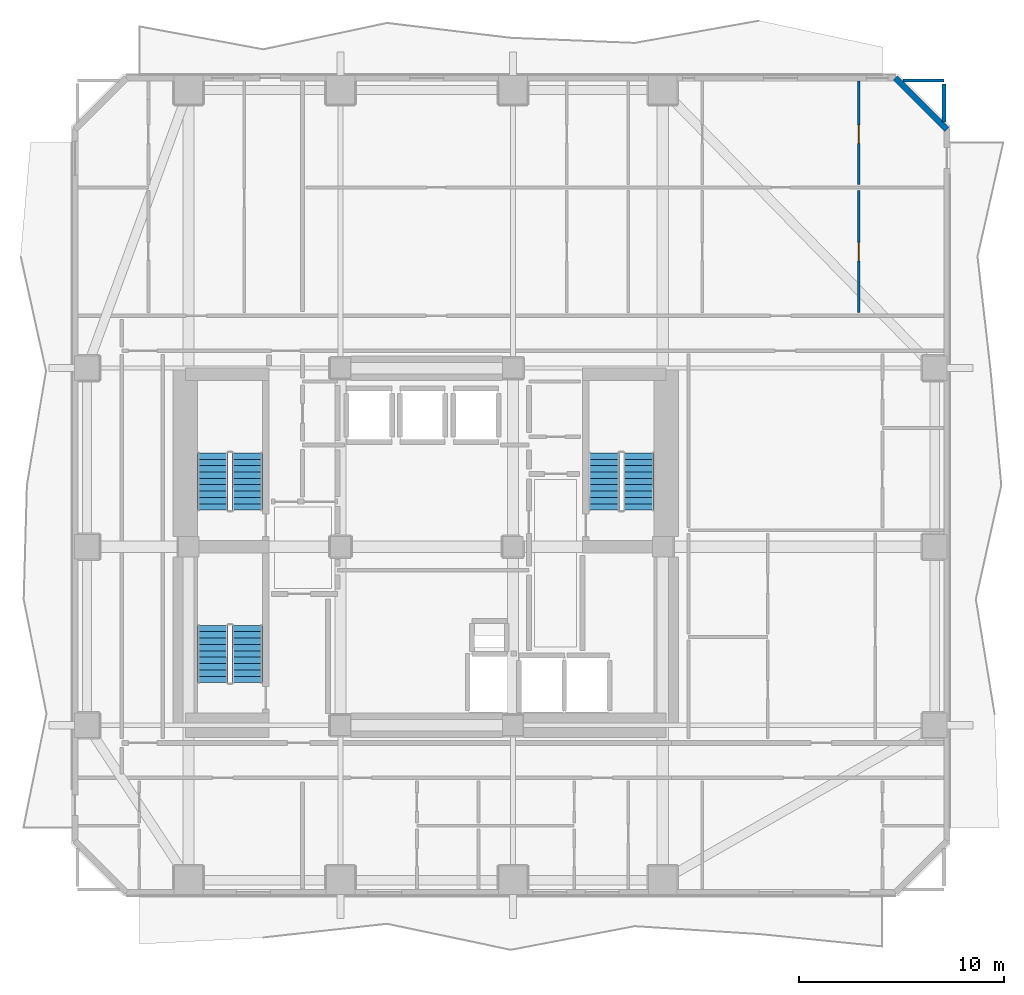
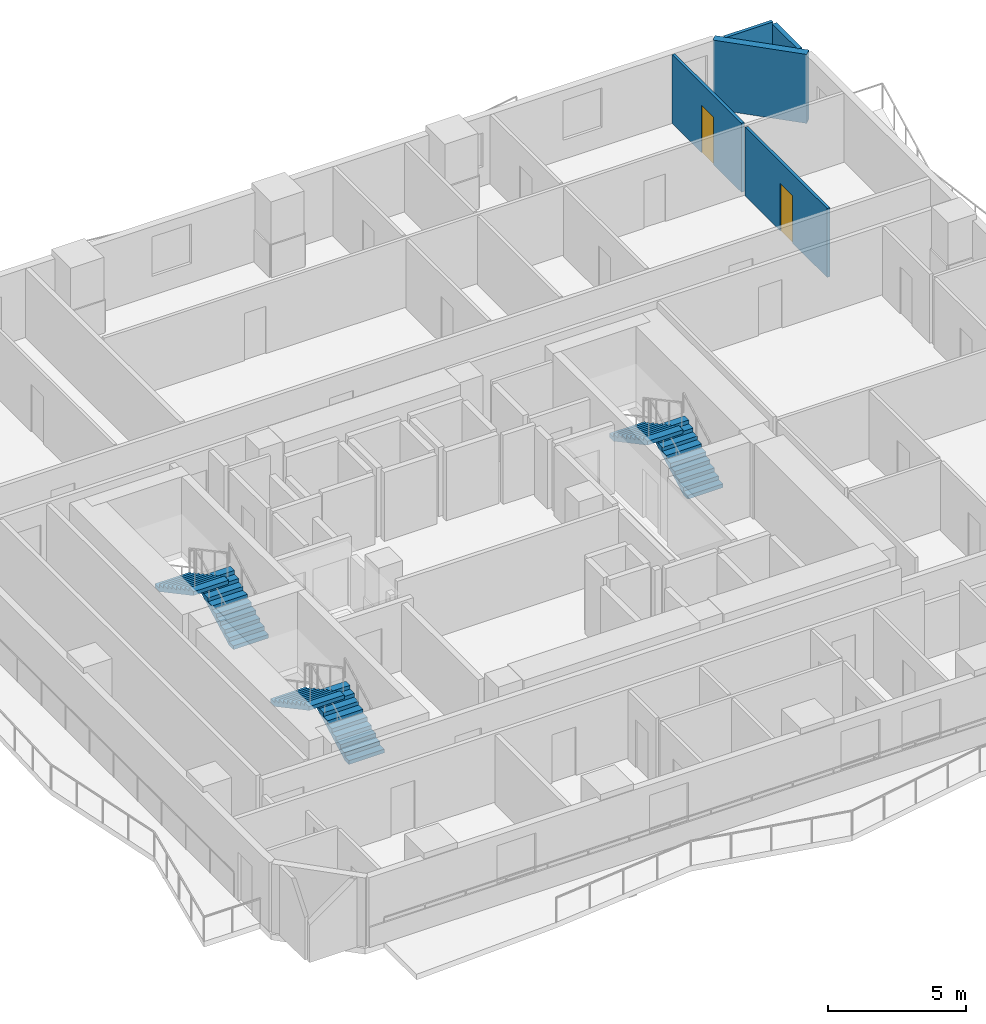
# One storey, part 7 of 11: 6 stair flights, 5 walls, 2 doors, 2 openings, 3 elements without a shape of their own.
"""IFC4 building model written with IfcOpenShell, lengths in metres."""

import ifcopenshell
import ifcopenshell.guid

model = None  # the IFC model being written
_history = None  # IfcOwnerHistory: only IFC2X3 demands one
_inside = {}  # id of a spatial element -> (the spatial element, [elements in it])
_under = {}  # id of a project, library or spatial element -> (it, [spatial elements below it])
_declared = {}  # id of a project -> (the project, [libraries it declares])
_typed = {}  # id of a type object -> (the type object, [elements of that type])
_made_of = {}  # id of a material, layer set ... -> (it, [elements and type objects made of it])


def new_model(schema):
    """Start an empty IFC model of exactly this schema.

    Asked for "IFC4X3", IfcOpenShell would pick the latest addendum, in which some entities
    have other attributes; the version numbers below select the first issue.
    IFC2X3 requires an IfcOwnerHistory on every rooted entity: one is made here for all.
    """
    global model, _history
    if schema == "IFC4X3":
        model = ifcopenshell.file(schema_version=(4, 3, 0, 0))
    else:
        model = ifcopenshell.file(schema=schema)
    _inside.clear()
    _under.clear()
    _declared.clear()
    _typed.clear()
    _made_of.clear()
    _history = None
    if model.schema == "IFC2X3":
        org = make("IfcOrganization", Name="unknown")
        user = make(
            "IfcPersonAndOrganization",
            ThePerson=make("IfcPerson", FamilyName="unknown"),
            TheOrganization=org,
        )
        app = make(
            "IfcApplication",
            ApplicationDeveloper=org,
            Version="unknown",
            ApplicationFullName="unknown",
            ApplicationIdentifier="unknown",
        )
        _history = make(
            "IfcOwnerHistory",
            OwningUser=user,
            OwningApplication=app,
            ChangeAction="ADDED",
            CreationDate=0,
        )
    return model


def make(cls, **values):
    """One entity of the class cls with the attributes given. An attribute that is None is left unset."""
    return model.create_entity(
        cls, **{name: value for name, value in values.items() if value is not None}
    )


def rooted(cls, **values):
    """An entity with a GlobalId (a new one), such as an element, a storey or a relation."""
    return make(cls, GlobalId=ifcopenshell.guid.new(), OwnerHistory=_history, **values)


def si_unit(unit_type, name, prefix=None):
    """IfcSIUnit, for example si_unit("LENGTHUNIT", "METRE", prefix="MILLI")."""
    return make("IfcSIUnit", UnitType=unit_type, Prefix=prefix, Name=name)


def assignment(units):
    """IfcUnitAssignment: the units of a project."""
    return None if units is None else make("IfcUnitAssignment", Units=units)


def point(xyz):
    """IfcCartesianPoint."""
    return None if xyz is None else make("IfcCartesianPoint", Coordinates=xyz)


def direction(xyz):
    """IfcDirection."""
    return None if xyz is None else make("IfcDirection", DirectionRatios=xyz)


def frame(location, z_axis=None, x_axis=None):
    """IfcAxis2Placement3D, a coordinate frame: its origin and axes. An axis left out is left unset."""
    return make(
        "IfcAxis2Placement3D",
        Location=point(location),
        Axis=direction(z_axis),
        RefDirection=direction(x_axis),
    )


def frame_2d(location, x_axis=None):
    """IfcAxis2Placement2D, a coordinate frame in the plane: its origin and x axis."""
    return make(
        "IfcAxis2Placement2D", Location=point(location), RefDirection=direction(x_axis)
    )


def origin():
    """The frame at (0, 0, 0) with its axes left unset."""
    return frame((0.0, 0.0, 0.0))


def place(relative_to, where):
    """IfcLocalPlacement: puts the frame where relative to a parent placement (None: the world)."""
    return make(
        "IfcLocalPlacement", PlacementRelTo=relative_to, RelativePlacement=where
    )


def context(
    kind, dimensions, precision=None, world=None, true_north=None, identifier=None
):
    """IfcGeometricRepresentationContext, for example the 3D "Model" context."""
    return make(
        "IfcGeometricRepresentationContext",
        ContextIdentifier=identifier,
        ContextType=kind,
        CoordinateSpaceDimension=dimensions,
        Precision=precision,
        WorldCoordinateSystem=world,
        TrueNorth=true_north,
    )


def subcontext(parent, identifier, kind, view, scale=None):
    """IfcGeometricRepresentationSubContext, for example "Body" below "Model"."""
    return make(
        "IfcGeometricRepresentationSubContext",
        ContextIdentifier=identifier,
        ContextType=kind,
        ParentContext=parent,
        TargetScale=scale,
        TargetView=view,
    )


def project(units=None, contexts=None):
    """IfcProject with its units and contexts."""
    return rooted(
        "IfcProject",
        Name="project",
        RepresentationContexts=contexts,
        UnitsInContext=assignment(units),
    )


def spatial(cls, under=None, at=None, **own):
    """A site, building, storey or space (cls), placed at a placement, below another one or the project."""
    s = rooted(cls, ObjectPlacement=at, **own)
    if under is not None:
        _under.setdefault(under.id(), (under, []))[1].append(s)
    return s


def polyline(points):
    """IfcPolyline through the points."""
    return make("IfcPolyline", Points=[point(p) for p in points])


def profile(cls, at=None, kind="AREA", **sizes):
    """A parametric profile (cls). Its sizes go by their IFC names, for example OverallWidth=200.0."""
    return make(cls, ProfileType=kind, Position=at, **sizes)


def rectangle(**sizes):
    """IfcRectangleProfileDef."""
    return profile("IfcRectangleProfileDef", **sizes)


def outline(outer, holes=None, kind="AREA"):
    """IfcArbitraryClosedProfileDef: a profile drawn as a closed curve; with holes, ...WithVoids."""
    if holes is None:
        return make("IfcArbitraryClosedProfileDef", ProfileType=kind, OuterCurve=outer)
    return make(
        "IfcArbitraryProfileDefWithVoids",
        ProfileType=kind,
        OuterCurve=outer,
        InnerCurves=holes,
    )


def extrude(swept, where, along, depth):
    """IfcExtrudedAreaSolid: the profile swept, set in the frame where, extruded along a direction by depth."""
    return make(
        "IfcExtrudedAreaSolid",
        SweptArea=swept,
        Position=where,
        ExtrudedDirection=direction(along),
        Depth=depth,
    )


def shape(context_of_items, identifier, shape_type, items):
    """IfcShapeRepresentation: the items that make up one representation, for example the "Body"."""
    return make(
        "IfcShapeRepresentation",
        ContextOfItems=context_of_items,
        RepresentationIdentifier=identifier,
        RepresentationType=shape_type,
        Items=items,
    )


def material(Name=None, Category=None):
    """IfcMaterial."""
    return make("IfcMaterial", Name=Name, Category=Category)


def layer(
    of_material, thickness, ventilated=None, Name=None, Category=None, Priority=None
):
    """IfcMaterialLayer: one layer of a wall or slab, of a material (None: an air gap)."""
    return make(
        "IfcMaterialLayer",
        Material=of_material,
        LayerThickness=thickness,
        IsVentilated=ventilated,
        Name=Name,
        Category=Category,
        Priority=Priority,
    )


def layer_set(layers, Name=None):
    """IfcMaterialLayerSet."""
    return make("IfcMaterialLayerSet", MaterialLayers=layers, LayerSetName=Name)


def made_of(thing, what):
    """Note that an element or type object is made of a material, layer set ...; save() writes the relation."""
    if what is not None:
        _made_of.setdefault(what.id(), (what, []))[1].append(thing)
    return thing


def type_object(cls, material=None, **own):
    """A type object (cls), such as IfcWallType, which elements share."""
    return made_of(rooted(cls, **own), material)


def element(
    cls,
    number,
    at=None,
    inside=None,
    cuts=None,
    type_object=None,
    material=None,
    context=None,
    identifier="Body",
    shape_type=None,
    held_by="IfcProductDefinitionShape",
    body=None,
    shapes=None,
    **own,
):
    """One element of the class cls, such as IfcWall. Its Tag is "e" and its number.

    at: its placement. inside: the storey or other place that contains it. cuts: it is an
    opening in that element (IfcRelVoidsElement). A single representation is given by context,
    identifier, shape_type and body (its items); several are given by shapes. held_by: the class
    of the entity that holds the representations. save() writes the other relations.
    """
    e = rooted(cls, Tag="e%d" % number, ObjectPlacement=at, **own)
    if body is not None:
        shapes = [shape(context, identifier, shape_type, body)]
    if shapes is not None:
        e.Representation = make(held_by, Representations=shapes)
    if inside is not None:
        _inside.setdefault(inside.id(), (inside, []))[1].append(e)
    if cuts is not None:
        rooted(
            "IfcRelVoidsElement", RelatingBuildingElement=cuts, RelatedOpeningElement=e
        )
    if type_object is not None:
        _typed.setdefault(type_object.id(), (type_object, []))[1].append(e)
    return made_of(e, material)


def fill(opening, filler):
    """IfcRelFillsElement: the door or window that sits in an opening."""
    return rooted(
        "IfcRelFillsElement",
        RelatingOpeningElement=opening,
        RelatedBuildingElement=filler,
    )


def aggregate(whole, parts):
    """IfcRelAggregates: a whole, such as a stair, and the parts it consists of."""
    return rooted("IfcRelAggregates", RelatingObject=whole, RelatedObjects=parts)


def save(model, path):
    """Write the relations noted so far, then the file.

    IfcRelAggregates (storeys below a building ...), IfcRelContainedInSpatialStructure (elements
    in a storey), IfcRelDefinesByType, IfcRelAssociatesMaterial and IfcRelDeclares: one each for
    every whole, place, type object, material and project.
    """
    for whole, parts in _under.values():
        aggregate(whole, parts)
    for where, things in _inside.values():
        rooted(
            "IfcRelContainedInSpatialStructure",
            RelatedElements=things,
            RelatingStructure=where,
        )
    for kind, things in _typed.values():
        rooted("IfcRelDefinesByType", RelatedObjects=things, RelatingType=kind)
    for what, things in _made_of.values():
        rooted("IfcRelAssociatesMaterial", RelatedObjects=things, RelatingMaterial=what)
    for by, libraries in _declared.values():
        rooted("IfcRelDeclares", RelatingContext=by, RelatedDefinitions=libraries)
    model.write(path)


model = new_model("IFC4")

# Units and contexts
model_context = context("Model", 3, precision=1e-05, world=origin(), true_north=direction((0.0, 1.0)))
body_context = subcontext(model_context, "Body", "Model", "MODEL_VIEW")
ifc_project = project(units=[si_unit("LENGTHUNIT", "METRE"), si_unit("AREAUNIT", "SQUARE_METRE"), si_unit("VOLUMEUNIT", "CUBIC_METRE"), si_unit("PLANEANGLEUNIT", "RADIAN"), si_unit("MASSUNIT", "GRAM", prefix="KILO")], contexts=[model_context])

# Site, building, storey
site_placement = place(None, origin())
site = spatial("IfcSite", under=ifc_project, at=site_placement, CompositionType="ELEMENT")
building_placement = place(site_placement, origin())
building = spatial("IfcBuilding", under=site, at=building_placement, Name="Solanera Arch Residences", CompositionType="ELEMENT")
storey_placement = place(building_placement, frame((0.0, 0.0, 65.159912109375)))
storey = spatial("IfcBuildingStorey", under=building, at=storey_placement, Name="L18", CompositionType="ELEMENT", Elevation=65.159912109375)

# Walls
ifc_material_1 = material(Name="Autoclaved Aerated Concrete Blockwork", Category="masonry")
ifc_layer_1 = layer(ifc_material_1, 0.179931640625)
ifc_layer_set_1 = layer_set([ifc_layer_1], Name="Autoclaved Aerated Concrete Blockwork")
wall_type_1 = type_object("IfcWallType", Name="Corridor Fire Partition 180", PredefinedType="PARTITIONING", material=ifc_layer_set_1)
wall_1_placement = place(storey_placement, frame((50.199951171875, 51.39892578125, 0.0), z_axis=(0.0, 0.0, 1.0), x_axis=(0.0, 1.0, 0.0)))
element("IfcWall", 1, at=wall_1_placement, inside=storey, type_object=wall_type_1, Name="L18 Interior Partition V11 2", PredefinedType="PARTITIONING", context=body_context, shape_type="SweptSolid", body=[
    extrude(rectangle(XDim=1.8330078125, YDim=0.179931640625, at=frame_2d((0.91650390625, 0.0))), origin(), (0.0, 0.0, 1.0), 3.06005859375),
])
ifc_material_2 = material(Name="Precast Concrete C35/45", Category="concrete")
ifc_layer_2 = layer(ifc_material_2, 0.300048828125)
ifc_layer_set_2 = layer_set([ifc_layer_2], Name="Precast Concrete C35/45")
wall_type_2 = type_object("IfcWallType", Name="Exterior Wall Precast Masonry-Frame 300", PredefinedType="STANDARD", material=ifc_layer_set_2)
wall_2_placement = place(storey_placement, frame((47.8349609375, 53.534912109375, 0.0), z_axis=(0.0, 0.0, 1.0), x_axis=(0.707106781187, -0.707106781187, 0.0)))
element("IfcWall", 2, at=wall_2_placement, inside=storey, type_object=wall_type_2, Name="L18 Tower Exterior Precast Masonry-Frame Wall CH3", PredefinedType="STANDARD", context=body_context, shape_type="SweptSolid", body=[
    extrude(rectangle(XDim=3.53564453125, YDim=0.300048828125, at=frame_2d((1.767822265625, 0.0))), origin(), (0.0, 0.0, 1.0), 3.06005859375),
])

# Wall, opening, door
ifc_material_3 = material(Name="Fire-Rated Gypsum Stud Partition", Category="gypsum")
ifc_layer_3 = layer(ifc_material_3, 0.1201171875)
ifc_layer_set_3 = layer_set([ifc_layer_3], Name="Fire-Rated Gypsum Stud Partition")
wall_type_3 = type_object("IfcWallType", Name="Unit Drywall Partition 120", PredefinedType="PARTITIONING", material=ifc_layer_set_3)
wall_3_placement = place(storey_placement, frame((46.047119140625, 42.10791015625, 0.0), z_axis=(0.0, 0.0, 1.0), x_axis=(0.0, 1.0, 0.0)))
wall_3 = element("IfcWall", 3, at=wall_3_placement, inside=storey, type_object=wall_type_3, Name="L18 Interior Partition V29 1", PredefinedType="PARTITIONING", context=body_context, shape_type="SweptSolid", body=[
    extrude(rectangle(XDim=5.9541015625, YDim=0.1201171875, at=frame_2d((2.97705078125, 0.0))), origin(), (0.0, 0.0, 1.0), 3.06005859375),
])
opening_1_placement = place(wall_3_placement, frame((2.51708984375, 0.0, 0.0)))
opening_1 = element("IfcOpeningElement", 4, at=opening_1_placement, cuts=wall_3, Name="Opening DI-02", PredefinedType="OPENING", context=body_context, shape_type="SweptSolid", body=[
    extrude(rectangle(XDim=0.89990234375, YDim=2.10009765625, at=frame_2d((0.449951171875, 1.050048828125))), frame((0.0, 0.070068359375, 0.0), z_axis=(0.0, -1.0, 0.0), x_axis=(1.0, 0.0, 0.0)), (0.0, 0.0, 1.0), 0.1401),
])
ifc_material_4 = material(Name="Fire-Rated Architectural Hardwood", Category="wood")
door_type = type_object("IfcDoorType", Name="Suite Room Swing Door DI-02", OperationType="NOTDEFINED", PredefinedType="DOOR", material=ifc_material_4)
door_1_placement = place(opening_1_placement, origin())
door_1 = element("IfcDoor", 5, at=door_1_placement, inside=storey, type_object=door_type, Name="DR-L18-IN-040", OperationType="SINGLE_SWING_RIGHT", OverallHeight=2.10009765625, OverallWidth=0.89990234375, PredefinedType="DOOR", context=body_context, shape_type="SweptSolid", body=[
    extrude(rectangle(XDim=0.89990234375, YDim=2.10009765625, at=frame_2d((0.449951171875, 1.050048828125))), frame((0.0, 0.02490234375, 0.0), z_axis=(0.0, -1.0, 0.0), x_axis=(1.0, 0.0, 0.0)), (0.0, 0.0, 1.0), 0.050048828125),
])
fill(opening_1, door_1)

wall_4_placement = place(storey_placement, frame((46.047119140625, 48.337890625, 0.0), z_axis=(0.0, 0.0, 1.0), x_axis=(0.0, 1.0, 0.0)))
wall_4 = element("IfcWall", 6, at=wall_4_placement, inside=storey, type_object=wall_type_3, Name="L18 Interior Partition V29 2", PredefinedType="PARTITIONING", context=body_context, shape_type="SweptSolid", body=[
    extrude(rectangle(XDim=5.03515625, YDim=0.1201171875, at=frame_2d((2.517578125, 0.0))), origin(), (0.0, 0.0, 1.0), 3.06005859375),
])
opening_2_placement = place(wall_4_placement, frame((2.011962890625, 0.0, 0.0)))
opening_2 = element("IfcOpeningElement", 7, at=opening_2_placement, cuts=wall_4, Name="Opening DI-02", PredefinedType="OPENING", context=body_context, shape_type="SweptSolid", body=[
    extrude(rectangle(XDim=0.89990234375, YDim=2.10009765625, at=frame_2d((0.449951171875, 1.050048828125))), frame((0.0, 0.070068359375, 0.0), z_axis=(0.0, -1.0, 0.0), x_axis=(1.0, 0.0, 0.0)), (0.0, 0.0, 1.0), 0.1401),
])
door_2_placement = place(opening_2_placement, origin())
door_2 = element("IfcDoor", 8, at=door_2_placement, inside=storey, type_object=door_type, Name="DR-L18-IN-041", OperationType="SINGLE_SWING_LEFT", OverallHeight=2.10009765625, OverallWidth=0.89990234375, PredefinedType="DOOR", context=body_context, shape_type="SweptSolid", body=[
    extrude(rectangle(XDim=0.89990234375, YDim=2.10009765625, at=frame_2d((0.449951171875, 1.050048828125))), frame((0.0, 0.02490234375, 0.0), z_axis=(0.0, -1.0, 0.0), x_axis=(1.0, 0.0, 0.0)), (0.0, 0.0, 1.0), 0.050048828125),
])
fill(opening_2, door_2)

# Wall
ifc_material_5 = material(Name="Autoclaved Aerated Concrete Blockwork", Category="masonry")
ifc_layer_4 = layer(ifc_material_5, 0.139892578125)
ifc_layer_set_4 = layer_set([ifc_layer_4], Name="Autoclaved Aerated Concrete Blockwork")
wall_type_4 = type_object("IfcWallType", Name="Wet-Room Partition 140", PredefinedType="PARTITIONING", material=ifc_layer_set_4)
wall_5_placement = place(storey_placement, frame((48.198974609375, 53.39990234375, 0.0), z_axis=(0.0, 0.0, 1.0), x_axis=(1.0, 0.0, 0.0)))
element("IfcWall", 9, at=wall_5_placement, inside=storey, type_object=wall_type_4, Name="L18 Interior Partition H23 2", PredefinedType="PARTITIONING", context=body_context, shape_type="SweptSolid", body=[
    extrude(rectangle(XDim=2.0009765625, YDim=0.139892578125, at=frame_2d((1.00048828125, 0.0))), origin(), (0.0, 0.0, 1.0), 3.06005859375),
])

# Stair, stair flights
ifc_material_6 = material(Name="Concrete C40/50 (f'c = 45 MPa)", Category="concrete")
stair_type = type_object("IfcStairType", Name="Tower Dogleg Exit Stair 1480", PredefinedType="HALF_TURN_STAIR", material=ifc_material_6)
stair_1_placement = place(storey_placement, origin())
stair_1 = element("IfcStair", 10, at=stair_1_placement, inside=storey, type_object=stair_type, Name="L18 Tower Core Exit Stair 1", PredefinedType="HALF_TURN_STAIR")
ifc_material_7 = material(Name="Concrete C40/50 (f'c = 45 MPa)", Category="concrete")
stair_flight_type = type_object("IfcStairFlightType", Name="Tower Precast Stair Flight 1480", PredefinedType="STRAIGHT", material=ifc_material_7)
stair_flight_1_placement = place(storey_placement, frame((16.260009765625, 32.47998046875, 0.0), z_axis=(0.0, 0.0, 1.0), x_axis=(0.0, 1.0, 0.0)))
stair_flight_1 = element("IfcStairFlight", 11, at=stair_flight_1_placement, type_object=stair_flight_type, Name="ST-T1 flight 1", NumberOfRisers=10, NumberOfTreads=9, PredefinedType="STRAIGHT", RiserHeight=0.166, TreadLength=0.31, context=body_context, shape_type="SweptSolid", body=[
    extrude(outline(polyline([(0.0, 0.0), (0.0, 0.166015625), (0.31005859375, 0.166015625), (0.31005859375, 0.33203125), (0.6201171875, 0.33203125), (0.6201171875, 0.498046875), (0.929931640625, 0.498046875), (0.929931640625, 0.6640625), (1.239990234375, 0.6640625), (1.239990234375, 0.830078125), (1.550048828125, 0.830078125), (1.550048828125, 0.99609375), (1.860107421875, 0.99609375), (1.860107421875, 1.162109375), (2.169921875, 1.162109375), (2.169921875, 1.327880859375), (2.47998046875, 1.327880859375), (2.47998046875, 1.493896484375), (2.7900390625, 1.493896484375), (2.7900390625, 1.659912109375), (2.7900390625, 1.323974609375), (0.317626953125, 0.0), (0.0, 0.0)])), frame((0.0, 0.739990234375, 0.0), z_axis=(0.0, -1.0, 0.0), x_axis=(1.0, 0.0, 0.0)), (0.0, 0.0, 1.0), 1.47998046875),
])
stair_flight_2_placement = place(storey_placement, frame((14.580078125, 35.27001953125, 1.66015625), z_axis=(0.0, 0.0, 1.0), x_axis=(0.0, -1.0, 0.0)))
stair_flight_2 = element("IfcStairFlight", 12, at=stair_flight_2_placement, type_object=stair_flight_type, Name="ST-T1 flight 2", NumberOfRisers=10, NumberOfTreads=9, PredefinedType="STRAIGHT", RiserHeight=0.166, TreadLength=0.31, context=body_context, shape_type="SweptSolid", body=[
    extrude(outline(polyline([(0.0, 0.0), (0.0, 0.166015625), (0.31005859375, 0.166015625), (0.31005859375, 0.33203125), (0.6201171875, 0.33203125), (0.6201171875, 0.498046875), (0.929931640625, 0.498046875), (0.929931640625, 0.6640625), (1.239990234375, 0.6640625), (1.239990234375, 0.830078125), (1.550048828125, 0.830078125), (1.550048828125, 0.99609375), (1.860107421875, 0.99609375), (1.860107421875, 1.162109375), (2.169921875, 1.162109375), (2.169921875, 1.327880859375), (2.47998046875, 1.327880859375), (2.47998046875, 1.493896484375), (2.7900390625, 1.493896484375), (2.7900390625, 1.659912109375), (2.7900390625, 1.323974609375), (0.317626953125, 0.0), (0.0, 0.0)])), frame((0.0, 0.739990234375, 0.0), z_axis=(0.0, -1.0, 0.0), x_axis=(1.0, 0.0, 0.0)), (0.0, 0.0, 1.0), 1.47998046875),
])
aggregate(stair_1, [stair_flight_1, stair_flight_2])

stair_2_placement = place(storey_placement, origin())
stair_2 = element("IfcStair", 13, at=stair_2_placement, inside=storey, type_object=stair_type, Name="L18 Tower Core Exit Stair 2", PredefinedType="HALF_TURN_STAIR")
stair_flight_3_placement = place(storey_placement, frame((35.320068359375, 32.47998046875, 0.0), z_axis=(0.0, 0.0, 1.0), x_axis=(0.0, 1.0, 0.0)))
stair_flight_3 = element("IfcStairFlight", 14, at=stair_flight_3_placement, type_object=stair_flight_type, Name="ST-T2 flight 1", NumberOfRisers=10, NumberOfTreads=9, PredefinedType="STRAIGHT", RiserHeight=0.166, TreadLength=0.31, context=body_context, shape_type="SweptSolid", body=[
    extrude(outline(polyline([(0.0, 0.0), (0.0, 0.166015625), (0.31005859375, 0.166015625), (0.31005859375, 0.33203125), (0.6201171875, 0.33203125), (0.6201171875, 0.498046875), (0.929931640625, 0.498046875), (0.929931640625, 0.6640625), (1.239990234375, 0.6640625), (1.239990234375, 0.830078125), (1.550048828125, 0.830078125), (1.550048828125, 0.99609375), (1.860107421875, 0.99609375), (1.860107421875, 1.162109375), (2.169921875, 1.162109375), (2.169921875, 1.327880859375), (2.47998046875, 1.327880859375), (2.47998046875, 1.493896484375), (2.7900390625, 1.493896484375), (2.7900390625, 1.659912109375), (2.7900390625, 1.323974609375), (0.317626953125, 0.0), (0.0, 0.0)])), frame((0.0, 0.739990234375, 0.0), z_axis=(0.0, -1.0, 0.0), x_axis=(1.0, 0.0, 0.0)), (0.0, 0.0, 1.0), 1.47998046875),
])
stair_flight_4_placement = place(storey_placement, frame((33.639892578125, 35.27001953125, 1.66015625), z_axis=(0.0, 0.0, 1.0), x_axis=(0.0, -1.0, 0.0)))
stair_flight_4 = element("IfcStairFlight", 15, at=stair_flight_4_placement, type_object=stair_flight_type, Name="ST-T2 flight 2", NumberOfRisers=10, NumberOfTreads=9, PredefinedType="STRAIGHT", RiserHeight=0.166, TreadLength=0.31, context=body_context, shape_type="SweptSolid", body=[
    extrude(outline(polyline([(0.0, 0.0), (0.0, 0.166015625), (0.31005859375, 0.166015625), (0.31005859375, 0.33203125), (0.6201171875, 0.33203125), (0.6201171875, 0.498046875), (0.929931640625, 0.498046875), (0.929931640625, 0.6640625), (1.239990234375, 0.6640625), (1.239990234375, 0.830078125), (1.550048828125, 0.830078125), (1.550048828125, 0.99609375), (1.860107421875, 0.99609375), (1.860107421875, 1.162109375), (2.169921875, 1.162109375), (2.169921875, 1.327880859375), (2.47998046875, 1.327880859375), (2.47998046875, 1.493896484375), (2.7900390625, 1.493896484375), (2.7900390625, 1.659912109375), (2.7900390625, 1.323974609375), (0.317626953125, 0.0), (0.0, 0.0)])), frame((0.0, 0.739990234375, 0.0), z_axis=(0.0, -1.0, 0.0), x_axis=(1.0, 0.0, 0.0)), (0.0, 0.0, 1.0), 1.47998046875),
])
aggregate(stair_2, [stair_flight_3, stair_flight_4])

stair_3_placement = place(storey_placement, origin())
stair_3 = element("IfcStair", 16, at=stair_3_placement, inside=storey, type_object=stair_type, Name="L18 Tower Core Exit Stair 3", PredefinedType="HALF_TURN_STAIR")
stair_flight_5_placement = place(storey_placement, frame((16.260009765625, 24.080078125, 0.0), z_axis=(0.0, 0.0, 1.0), x_axis=(0.0, 1.0, 0.0)))
stair_flight_5 = element("IfcStairFlight", 17, at=stair_flight_5_placement, type_object=stair_flight_type, Name="ST-T3 flight 1", NumberOfRisers=10, NumberOfTreads=9, PredefinedType="STRAIGHT", RiserHeight=0.166, TreadLength=0.31, context=body_context, shape_type="SweptSolid", body=[
    extrude(outline(polyline([(0.0, 0.0), (0.0, 0.166015625), (0.31005859375, 0.166015625), (0.31005859375, 0.33203125), (0.6201171875, 0.33203125), (0.6201171875, 0.498046875), (0.929931640625, 0.498046875), (0.929931640625, 0.6640625), (1.239990234375, 0.6640625), (1.239990234375, 0.830078125), (1.550048828125, 0.830078125), (1.550048828125, 0.99609375), (1.860107421875, 0.99609375), (1.860107421875, 1.162109375), (2.169921875, 1.162109375), (2.169921875, 1.327880859375), (2.47998046875, 1.327880859375), (2.47998046875, 1.493896484375), (2.7900390625, 1.493896484375), (2.7900390625, 1.659912109375), (2.7900390625, 1.323974609375), (0.317626953125, 0.0), (0.0, 0.0)])), frame((0.0, 0.739990234375, 0.0), z_axis=(0.0, -1.0, 0.0), x_axis=(1.0, 0.0, 0.0)), (0.0, 0.0, 1.0), 1.47998046875),
])
stair_flight_6_placement = place(storey_placement, frame((14.580078125, 26.8701171875, 1.66015625), z_axis=(0.0, 0.0, 1.0), x_axis=(0.0, -1.0, 0.0)))
stair_flight_6 = element("IfcStairFlight", 18, at=stair_flight_6_placement, type_object=stair_flight_type, Name="ST-T3 flight 2", NumberOfRisers=10, NumberOfTreads=9, PredefinedType="STRAIGHT", RiserHeight=0.166, TreadLength=0.31, context=body_context, shape_type="SweptSolid", body=[
    extrude(outline(polyline([(0.0, 0.0), (0.0, 0.166015625), (0.31005859375, 0.166015625), (0.31005859375, 0.33203125), (0.6201171875, 0.33203125), (0.6201171875, 0.498046875), (0.929931640625, 0.498046875), (0.929931640625, 0.6640625), (1.239990234375, 0.6640625), (1.239990234375, 0.830078125), (1.550048828125, 0.830078125), (1.550048828125, 0.99609375), (1.860107421875, 0.99609375), (1.860107421875, 1.162109375), (2.169921875, 1.162109375), (2.169921875, 1.327880859375), (2.47998046875, 1.327880859375), (2.47998046875, 1.493896484375), (2.7900390625, 1.493896484375), (2.7900390625, 1.659912109375), (2.7900390625, 1.323974609375), (0.317626953125, 0.0), (0.0, 0.0)])), frame((0.0, 0.739990234375, 0.0), z_axis=(0.0, -1.0, 0.0), x_axis=(1.0, 0.0, 0.0)), (0.0, 0.0, 1.0), 1.47998046875),
])
aggregate(stair_3, [stair_flight_5, stair_flight_6])

save(model, "model.ifc")
